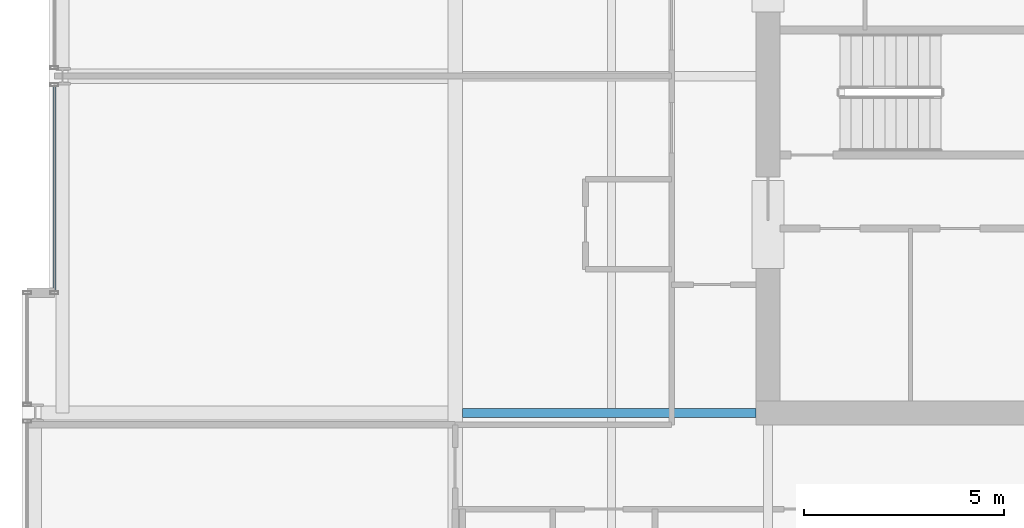
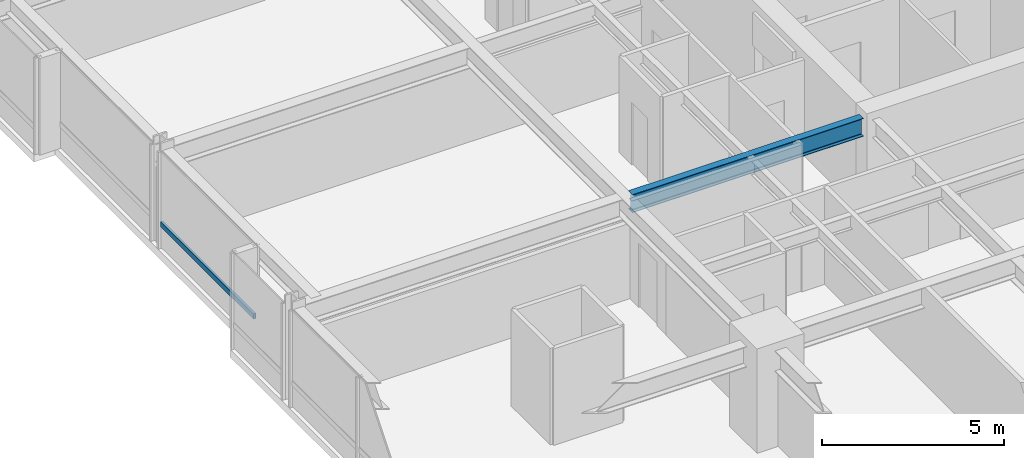
# One storey, part 8 of 33: 1 beam, 1 member, 1 element without a shape of its own.
"""IFC4 building model written with IfcOpenShell, lengths in metres."""

from ifc_helpers import new_model, si_unit, direction, frame, origin, origin_2d, place, context, subcontext, project, spatial, hollow_rectangle, i_section, extrude, material, layer, layer_set, material_profile, profile_set, type_object, element, aggregate, save


model = new_model("IFC4")

# Units and contexts
model_context = context("Model", 3, precision=1e-05, world=origin(), true_north=direction((0.0, 1.0)))
body_context = subcontext(model_context, "Body", "Model", "MODEL_VIEW")
ifc_project = project(units=[si_unit("LENGTHUNIT", "METRE"), si_unit("AREAUNIT", "SQUARE_METRE"), si_unit("VOLUMEUNIT", "CUBIC_METRE"), si_unit("PLANEANGLEUNIT", "RADIAN"), si_unit("MASSUNIT", "GRAM", prefix="KILO")], contexts=[model_context])

# Site, building, storey
site_placement = place(None, origin())
site = spatial("IfcSite", under=ifc_project, at=site_placement, CompositionType="ELEMENT")
building_placement = place(site_placement, origin())
building = spatial("IfcBuilding", under=site, at=building_placement, Name="Drelvath Grand Hotel", CompositionType="ELEMENT")
storey_placement = place(building_placement, frame((0.0, 0.0, 119.800048828125)))
storey = spatial("IfcBuildingStorey", under=building, at=storey_placement, Name="L30", CompositionType="ELEMENT", Elevation=119.800048828125)

# Curtain wall, member
ifc_material_1 = material(Name="Champagne Bronze Anodised Aluminium Frame", Category="aluminium")
ifc_layer = layer(ifc_material_1, 0.199951171875)
ifc_layer_set = layer_set([ifc_layer], Name="Champagne Bronze Anodised Aluminium Frame")
curtain_wall_type = type_object("IfcCurtainWallType", Name="Stick Curtain Wall CW-03 Champagne Bronze Mid-Rise", PredefinedType="NOTDEFINED", material=ifc_layer_set)
curtain_wall_placement = place(storey_placement, origin())
curtain_wall = element("IfcCurtainWall", 1, at=curtain_wall_placement, inside=storey, type_object=curtain_wall_type, Name="L30 CW-03 Curtain Wall CW03-L30-WM1", PredefinedType="NOTDEFINED")
ifc_material_profile_1 = material_profile(ifc_material_1, hollow_rectangle(XDim=0.074951171875, YDim=0.179931640625, WallThickness=0.0048828125, at=origin_2d()), Name="HSS180X75X5")
ifc_profile_set_1 = profile_set([ifc_material_profile_1], Name="Champagne Bronze Anodised Aluminium Frame")
member_type = type_object("IfcMemberType", Name="Curtain Wall Horizontal Transom CW-03 HSS180X75X5", PredefinedType="USERDEFINED", material=ifc_profile_set_1)
member_placement = place(storey_placement, frame((-26.199951171875, 21.639892578125, 0.81005859375), z_axis=(0.0, 1.0, 0.0), x_axis=(-1.0, 0.0, 0.0)))
member = element("IfcMember", 2, at=member_placement, type_object=member_type, Name="CW03-L30-WM1 Sill Transom", ObjectType="TRANSOM", PredefinedType="USERDEFINED", context=body_context, shape_type="SweptSolid", body=[
    extrude(hollow_rectangle(XDim=0.074951171875, YDim=0.179931640625, WallThickness=0.0048828125, at=origin_2d()), origin(), (0.0, 0.0, 1.0), 5.110595703125),
])
aggregate(curtain_wall, [member])

# Beam
ifc_material_2 = material(Name="Steel ASTM A992 Gr 50", Category="steel")
ifc_material_profile_2 = material_profile(ifc_material_2, i_section(OverallWidth=0.228271484375, OverallDepth=0.607666015625, WebThickness=0.01123046875, FlangeThickness=0.017333984375, FilletRadius=0.02001953125, at=origin_2d()), Name="W24X76")
ifc_profile_set_2 = profile_set([ifc_material_profile_2], Name="Steel ASTM A992 Gr 50")
beam_type = type_object("IfcBeamType", Name="Primary Floor Girder W24X76", PredefinedType="BEAM", material=ifc_profile_set_2)
beam_placement = place(storey_placement, frame((-16.022705078125, 18.60009765625, 2.93603515625), z_axis=(1.0, 0.0, 0.0), x_axis=(0.0, 1.0, 0.0)))
element("IfcBeam", 3, at=beam_placement, inside=storey, type_object=beam_type, Name="L30 West Core Tie D", PredefinedType="BEAM", context=body_context, shape_type="SweptSolid", body=[
    extrude(i_section(OverallWidth=0.228271484375, OverallDepth=0.607666015625, WebThickness=0.01123046875, FlangeThickness=0.017333984375, FilletRadius=0.02001953125, at=origin_2d()), origin(), (0.0, 0.0, 1.0), 7.32275390625),
])

save(model, "model.ifc")
